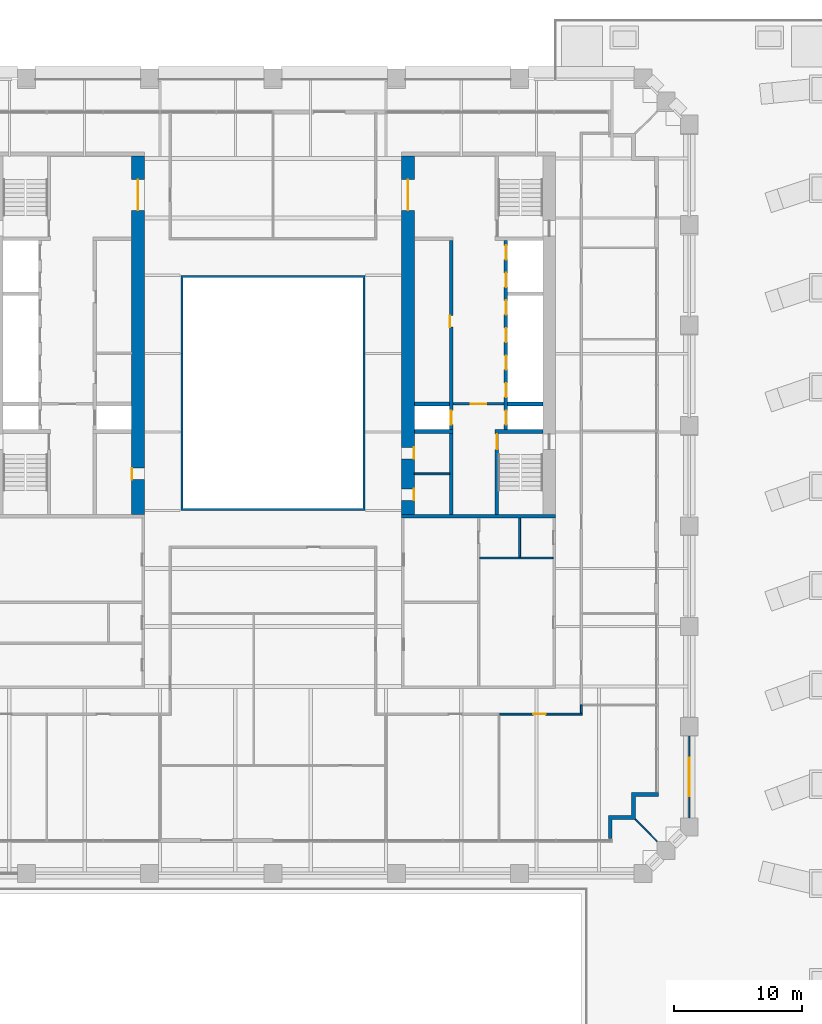
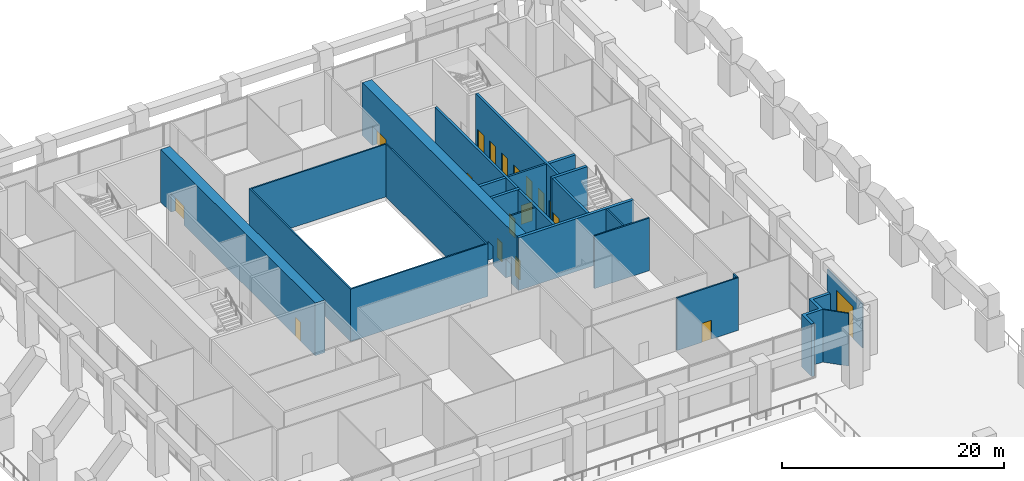
# One storey, part 14 of 20: 20 walls, 18 doors, 18 openings.
"""IFC4 building model written with IfcOpenShell, lengths in metres."""

from ifc_helpers import new_model, si_unit, direction, frame, frame_2d, origin, place, context, subcontext, project, spatial, polyline, rectangle, outline, extrude, material, layer, layer_set, type_object, element, fill, save


model = new_model("IFC4")

# Units and contexts
model_context = context("Model", 3, precision=1e-05, world=origin(), true_north=direction((0.0, 1.0)))
body_context = subcontext(model_context, "Body", "Model", "MODEL_VIEW")
ifc_project = project(units=[si_unit("LENGTHUNIT", "METRE"), si_unit("AREAUNIT", "SQUARE_METRE"), si_unit("VOLUMEUNIT", "CUBIC_METRE"), si_unit("PLANEANGLEUNIT", "RADIAN"), si_unit("MASSUNIT", "GRAM", prefix="KILO")], contexts=[model_context])

# Site, building, storey
site_placement = place(None, origin())
site = spatial("IfcSite", under=ifc_project, at=site_placement, CompositionType="ELEMENT")
building_placement = place(site_placement, origin())
building = spatial("IfcBuilding", under=site, at=building_placement, Name="Ogive Exchange Tower", CompositionType="ELEMENT")
storey_placement = place(building_placement, frame((0.0, 0.0, 33.60009765625)))
storey = spatial("IfcBuildingStorey", under=building, at=storey_placement, Name="L06", CompositionType="ELEMENT", Elevation=33.60009765625)

# Walls
ifc_material_1 = material(Name="Gypsum board partition")
ifc_layer_1 = layer(ifc_material_1, 0.14990234375)
ifc_layer_set_1 = layer_set([ifc_layer_1], Name="Core room partition 150 gypsum")
wall_type_1 = type_object("IfcWallType", Name="Core room partition 150 gypsum", PredefinedType="PARTITIONING", material=ifc_layer_set_1)
wall_1_placement = place(storey_placement, frame((11.0, 0.699951171875, 0.0), z_axis=(0.0, 0.0, 1.0), x_axis=(1.0, 0.0, 0.0)))
element("IfcWall", 1, at=wall_1_placement, inside=storey, type_object=wall_type_1, Name="E south room partition", PredefinedType="PARTITIONING", context=body_context, shape_type="SweptSolid", body=[
    extrude(rectangle(XDim=2.75, YDim=0.14990234375, at=frame_2d((1.375, 0.0))), origin(), (0.0, 0.0, 1.0), 5.7998046875),
])
wall_2_placement = place(storey_placement, frame((16.074951171875, -5.85009765625, 0.0), z_axis=(0.0, 0.0, 1.0), x_axis=(1.0, 0.0, 0.0)))
element("IfcWall", 2, at=wall_2_placement, inside=storey, type_object=wall_type_1, Name="E annex S wc strip wall 00", PredefinedType="PARTITIONING", context=body_context, shape_type="SweptSolid", body=[
    extrude(rectangle(XDim=5.72509765625, YDim=0.14990234375, at=frame_2d((2.862548828125, 0.0))), origin(), (0.0, 0.0, 1.0), 5.7998046875),
])
wall_3_placement = place(storey_placement, frame((19.199951171875, -5.77490234375, 0.0), z_axis=(0.0, 0.0, 1.0), x_axis=(0.0, 1.0, 0.0)))
element("IfcWall", 3, at=wall_3_placement, inside=storey, type_object=wall_type_1, Name="E annex S wc partition 00", PredefinedType="PARTITIONING", context=body_context, shape_type="SweptSolid", body=[
    extrude(rectangle(XDim=3.02490234375, YDim=0.14990234375, at=frame_2d((1.512451171875, 0.0))), origin(), (0.0, 0.0, 1.0), 5.7998046875),
])

# Wall, opening, door
ifc_material_2 = material(Name="Fire partition EI 60 150")
ifc_layer_2 = layer(ifc_material_2, 0.14990234375)
ifc_layer_set_2 = layer_set([ifc_layer_2], Name="Fire partition EI 60 150")
wall_type_2 = type_object("IfcWallType", Name="Fire partition EI 60 150", PredefinedType="PARTITIONING", material=ifc_layer_set_2)
wall_4_placement = place(storey_placement, frame((24.074951171875, -18.0, 0.0), z_axis=(0.0, 0.0, 1.0), x_axis=(-1.0, 0.0, 0.0)))
wall_4 = element("IfcWall", 4, at=wall_4_placement, inside=storey, type_object=wall_type_2, Name="L06-PWL-041", PredefinedType="PARTITIONING", context=body_context, shape_type="SweptSolid", body=[
    extrude(rectangle(XDim=6.425048828125, YDim=0.14990234375, at=frame_2d((3.21240234375, 0.0))), origin(), (0.0, 0.0, 1.0), 5.7998046875),
])
opening_1_placement = place(wall_4_placement, frame((2.824951171875, 0.0, 0.0)))
opening_1 = element("IfcOpeningElement", 5, at=opening_1_placement, cuts=wall_4, Name="Opening L06-I01", PredefinedType="OPENING", context=body_context, shape_type="SweptSolid", body=[
    extrude(rectangle(XDim=1.0, YDim=2.10009765625, at=frame_2d((0.5, 1.050048828125))), frame((0.0, 0.0849609375, 0.0), z_axis=(0.0, -1.0, 0.0), x_axis=(1.0, 0.0, 0.0)), (0.0, 0.0, 1.0), 0.169921875),
])
ifc_material_3 = material(Name="Fire door FD 30S 1000 x 2100")
door_type_1 = type_object("IfcDoorType", Name="Fire door FD 30S 1000 x 2100", OperationType="NOTDEFINED", PredefinedType="DOOR", material=ifc_material_3)
door_1_placement = place(opening_1_placement, origin())
door_1 = element("IfcDoor", 6, at=door_1_placement, inside=storey, type_object=door_type_1, Name="L06-IDR-001", ObjectType="DT3", OperationType="SINGLE_SWING_LEFT", OverallHeight=2.10009765625, OverallWidth=1.0, PredefinedType="DOOR", context=body_context, shape_type="SweptSolid", body=[
    extrude(rectangle(XDim=1.0, YDim=2.10009765625, at=frame_2d((0.5, 1.050048828125))), frame((0.0, 0.02490234375, 0.0), z_axis=(0.0, -1.0, 0.0), x_axis=(1.0, 0.0, 0.0)), (0.0, 0.0, 1.0), 0.050048828125),
])
fill(opening_1, door_1)

# Walls
wall_5_placement = place(storey_placement, frame((24.0, -17.2900390625, 0.0), z_axis=(0.0, 0.0, 1.0), x_axis=(0.0, -1.0, 0.0)))
element("IfcWall", 7, at=wall_5_placement, inside=storey, type_object=wall_type_2, Name="L06-PWL-042", PredefinedType="PARTITIONING", context=body_context, shape_type="SweptSolid", body=[
    extrude(rectangle(XDim=0.635009765625, YDim=0.14990234375, at=frame_2d((0.3173828125, 0.0))), origin(), (0.0, 0.0, 1.0), 5.7998046875),
])
ifc_material_4 = material(Name="Fire-resisting glass in steel frame", Category="steel")
ifc_layer_3 = layer(ifc_material_4, 0.14990234375)
ifc_layer_set_3 = layer_set([ifc_layer_3], Name="Fire-rated glazed wall 150")
wall_type_3 = type_object("IfcWallType", Name="Fire-rated glazed wall 150", PredefinedType="STANDARD", material=ifc_layer_set_3)
wall_6_placement = place(storey_placement, origin())
element("IfcWall", 8, at=wall_6_placement, inside=storey, type_object=wall_type_3, Name="Nave enclosure wall", PredefinedType="STANDARD", context=body_context, shape_type="SweptSolid", body=[
    extrude(outline(polyline([(-7.14990234375, -2.14990234375), (7.14990234375, -2.14990234375), (7.14990234375, 16.14990234375), (-7.14990234375, 16.14990234375), (-7.14990234375, -2.14990234375)]), holes=[polyline([(-7.0, -2.0), (-7.0, 16.0), (7.0, 16.0), (7.0, -2.0), (-7.0, -2.0)])]), origin(), (0.0, 0.0, 1.0), 5.7998046875),
])
ifc_material_5 = material(Name="Precast concrete C40/50", Category="concrete")
ifc_layer_4 = layer(ifc_material_5, 0.300048828125)
ifc_layer_set_4 = layer_set([ifc_layer_4], Name="Limestone-faced wall 300")
wall_type_4 = type_object("IfcWallType", Name="Limestone-faced wall 300", PredefinedType="STANDARD", material=ifc_layer_set_4)
wall_7_placement = place(storey_placement, origin())
element("IfcWall", 9, at=wall_7_placement, inside=storey, type_object=wall_type_4, Name="External corner wall C1", PredefinedType="STANDARD", context=body_context, shape_type="SweptSolid", body=[
    extrude(outline(polyline([(27.89990234375, -25.89990234375), (27.89990234375, -24.10009765625), (30.0, -24.10009765625), (30.0, -24.39990234375), (28.199951171875, -24.39990234375), (28.199951171875, -26.199951171875), (26.39990234375, -26.199951171875), (26.39990234375, -27.699951171875), (26.10009765625, -27.699951171875), (26.10009765625, -25.89990234375), (27.89990234375, -25.89990234375)])), origin(), (0.0, 0.0, 1.0), 5.7998046875),
])
ifc_material_6 = material(Name="Laminated safety glass in steel frame", Category="steel")
ifc_layer_5 = layer(ifc_material_6, 0.10009765625)
ifc_layer_set_5 = layer_set([ifc_layer_5], Name="Loggia end screen 100")
wall_type_5 = type_object("IfcWallType", Name="Loggia end screen 100", PredefinedType="STANDARD", material=ifc_layer_set_5)
wall_8_placement = place(storey_placement, frame((28.199951171875, -26.199951171875, 0.0), z_axis=(0.0, 0.0, 1.0), x_axis=(0.707106781187, -0.707106781187, 0.0)))
element("IfcWall", 10, at=wall_8_placement, inside=storey, type_object=wall_type_5, Name="Loggia end screen C1", PredefinedType="STANDARD", context=body_context, shape_type="SweptSolid", body=[
    extrude(rectangle(XDim=2.384521484375, YDim=0.10009765625, at=frame_2d((1.1923828125, 0.0))), origin(), (0.0, 0.0, 1.0), 5.7998046875),
])

# Wall, opening, door
wall_9_placement = place(storey_placement, frame((32.39990234375, -26.080078125, 0.0), z_axis=(0.0, 0.0, 1.0), x_axis=(0.0, 1.0, 0.0)))
wall_9 = element("IfcWall", 11, at=wall_9_placement, inside=storey, type_object=wall_type_5, Name="Terrace screen E00", PredefinedType="STANDARD", context=body_context, shape_type="SweptSolid", body=[
    extrude(rectangle(XDim=6.360107421875, YDim=0.10009765625, at=frame_2d((3.18017578125, 0.0))), origin(), (0.0, 0.0, 1.0), 4.849853515625),
])
opening_2_placement = place(wall_9_placement, frame((1.679931640625, 0.0, 0.0)))
opening_2 = element("IfcOpeningElement", 12, at=opening_2_placement, cuts=wall_9, Name="Opening D4", PredefinedType="OPENING", context=body_context, shape_type="SweptSolid", body=[
    extrude(rectangle(XDim=3.0, YDim=3.5, at=frame_2d((1.5, 1.75))), frame((0.0, 0.06005859375, 0.0), z_axis=(0.0, -1.0, 0.0), x_axis=(1.0, 0.0, 0.0)), (0.0, 0.0, 1.0), 0.1201171875),
])
ifc_material_7 = material(Name="Clear glass in bronze frame", Category="glass")
door_type_2 = type_object("IfcDoorType", Name="Terrace sliding door 3000 x 3500", OperationType="DOUBLE_DOOR_SLIDING", PredefinedType="DOOR", material=ifc_material_7)
door_2_placement = place(opening_2_placement, origin())
door_2 = element("IfcDoor", 13, at=door_2_placement, inside=storey, type_object=door_type_2, Name="Terrace door E00", OperationType="DOUBLE_DOOR_SLIDING", OverallHeight=3.5, OverallWidth=3.0, PredefinedType="DOOR", context=body_context, shape_type="SweptSolid", body=[
    extrude(rectangle(XDim=3.0, YDim=3.5, at=frame_2d((1.5, 1.75))), frame((0.0, 0.02490234375, 0.0), z_axis=(0.0, -1.0, 0.0), x_axis=(1.0, 0.0, 0.0)), (0.0, 0.0, 1.0), 0.050048828125),
])
fill(opening_2, door_2)

# Wall, openings, doors
ifc_material_8 = material(Name="Concrete C70/85", Category="concrete")
ifc_layer_6 = layer(ifc_material_8, 1.0)
ifc_layer_set_6 = layer_set([ifc_layer_6], Name="RC core wall 1000 C70/85")
wall_type_6 = type_object("IfcWallType", Name="RC core wall 1000 C70/85", PredefinedType="SHEAR", material=ifc_layer_set_6)
wall_10_placement = place(storey_placement, frame((-10.5, -2.449951171875, 0.0), z_axis=(0.0, 0.0, 1.0), x_axis=(0.0, 1.0, 0.0)))
wall_10 = element("IfcWall", 14, at=wall_10_placement, inside=storey, type_object=wall_type_6, Name="W inner wall", PredefinedType="SHEAR", context=body_context, shape_type="SweptSolid", body=[
    extrude(rectangle(XDim=27.89990234375, YDim=1.0, at=frame_2d((13.949951171875, 0.0))), origin(), (0.0, 0.0, 1.0), 5.7998046875),
])
opening_3_placement = place(wall_10_placement, frame((23.64990234375, 0.0, 0.0)))
opening_3 = element("IfcOpeningElement", 15, at=opening_3_placement, cuts=wall_10, Name="Opening L06-C12", PredefinedType="OPENING", context=body_context, shape_type="SweptSolid", body=[
    extrude(rectangle(XDim=2.39990234375, YDim=2.10009765625, at=frame_2d((1.199951171875, 1.050048828125))), frame((0.0, 0.510009765625, 0.0), z_axis=(0.0, -1.0, 0.0), x_axis=(1.0, 0.0, 0.0)), (0.0, 0.0, 1.0), 1.02001953125),
])
opening_4_placement = place(wall_10_placement, frame((2.699951171875, 0.0, 0.0)))
opening_4 = element("IfcOpeningElement", 16, at=opening_4_placement, cuts=wall_10, Name="Opening L06-C17", PredefinedType="OPENING", context=body_context, shape_type="SweptSolid", body=[
    extrude(rectangle(XDim=0.89990234375, YDim=2.10009765625, at=frame_2d((0.449951171875, 1.050048828125))), frame((0.0, 0.510009765625, 0.0), z_axis=(0.0, -1.0, 0.0), x_axis=(1.0, 0.0, 0.0)), (0.0, 0.0, 1.0), 1.02001953125),
])
ifc_material_9 = material(Name="Timber fire door", Category="wood")
door_type_3 = type_object("IfcDoorType", Name="Core room door FD30S 900 x 2100", OperationType="NOTDEFINED", PredefinedType="DOOR", material=ifc_material_9)
door_3_placement = place(opening_4_placement, origin())
door_3 = element("IfcDoor", 17, at=door_3_placement, inside=storey, type_object=door_type_3, Name="Core room door", ObjectType="CD6", OperationType="SINGLE_SWING_LEFT", OverallHeight=2.10009765625, OverallWidth=0.89990234375, PredefinedType="DOOR", context=body_context, shape_type="SweptSolid", body=[
    extrude(rectangle(XDim=0.89990234375, YDim=2.10009765625, at=frame_2d((0.449951171875, 1.050048828125))), frame((0.0, 0.5, 0.0), z_axis=(0.0, -1.0, 0.0), x_axis=(1.0, 0.0, 0.0)), (0.0, 0.0, 1.0), 0.050048828125),
])
fill(opening_4, door_3)
ifc_material_10 = material(Name="Glazed steel fire door", Category="steel")
door_type_4 = type_object("IfcDoorType", Name="Lift lobby double door FD60 2400 x 2100", OperationType="DOUBLE_DOOR_SINGLE_SWING", PredefinedType="DOOR", material=ifc_material_10)
door_4_placement = place(opening_3_placement, origin())
door_4 = element("IfcDoor", 18, at=door_4_placement, inside=storey, type_object=door_type_4, Name="Lift lobby double door", ObjectType="CD4", OperationType="DOUBLE_DOOR_SINGLE_SWING", OverallHeight=2.10009765625, OverallWidth=2.39990234375, PredefinedType="DOOR", context=body_context, shape_type="SweptSolid", body=[
    extrude(rectangle(XDim=2.39990234375, YDim=2.10009765625, at=frame_2d((1.199951171875, 1.050048828125))), frame((0.0, 0.02490234375, 0.0), z_axis=(0.0, -1.0, 0.0), x_axis=(1.0, 0.0, 0.0)), (0.0, 0.0, 1.0), 0.050048828125),
])
fill(opening_3, door_4)

wall_11_placement = place(storey_placement, frame((10.5, -2.449951171875, 0.0), z_axis=(0.0, 0.0, 1.0), x_axis=(0.0, 1.0, 0.0)))
wall_11 = element("IfcWall", 19, at=wall_11_placement, inside=storey, type_object=wall_type_6, Name="E inner wall", PredefinedType="SHEAR", context=body_context, shape_type="SweptSolid", body=[
    extrude(rectangle(XDim=27.89990234375, YDim=1.0, at=frame_2d((13.949951171875, 0.0))), origin(), (0.0, 0.0, 1.0), 5.7998046875),
])
opening_5_placement = place(wall_11_placement, frame((23.64990234375, 0.0, 0.0)))
opening_5 = element("IfcOpeningElement", 20, at=opening_5_placement, cuts=wall_11, Name="Opening L06-C32", PredefinedType="OPENING", context=body_context, shape_type="SweptSolid", body=[
    extrude(rectangle(XDim=2.39990234375, YDim=2.10009765625, at=frame_2d((1.199951171875, 1.050048828125))), frame((0.0, 0.510009765625, 0.0), z_axis=(0.0, -1.0, 0.0), x_axis=(1.0, 0.0, 0.0)), (0.0, 0.0, 1.0), 1.02001953125),
])
opening_6_placement = place(wall_11_placement, frame((1.08740234375, 0.0, 0.0)))
opening_6 = element("IfcOpeningElement", 21, at=opening_6_placement, cuts=wall_11, Name="Opening L06-C37", PredefinedType="OPENING", context=body_context, shape_type="SweptSolid", body=[
    extrude(rectangle(XDim=0.89990234375, YDim=2.10009765625, at=frame_2d((0.449951171875, 1.050048828125))), frame((0.0, 0.510009765625, 0.0), z_axis=(0.0, -1.0, 0.0), x_axis=(1.0, 0.0, 0.0)), (0.0, 0.0, 1.0), 1.02001953125),
])
opening_7_placement = place(wall_11_placement, frame((4.3125, 0.0, 0.0)))
opening_7 = element("IfcOpeningElement", 22, at=opening_7_placement, cuts=wall_11, Name="Opening L06-C38", PredefinedType="OPENING", context=body_context, shape_type="SweptSolid", body=[
    extrude(rectangle(XDim=0.89990234375, YDim=2.10009765625, at=frame_2d((0.449951171875, 1.050048828125))), frame((0.0, 0.510009765625, 0.0), z_axis=(0.0, -1.0, 0.0), x_axis=(1.0, 0.0, 0.0)), (0.0, 0.0, 1.0), 1.02001953125),
])
door_5_placement = place(opening_6_placement, frame((0.89990234375, -0.9501953125, 0.0), z_axis=(0.0, 0.0, 1.0), x_axis=(-1.0, 0.0, 0.0)))
door_5 = element("IfcDoor", 23, at=door_5_placement, inside=storey, type_object=door_type_3, Name="Core room door", ObjectType="CD6", OperationType="SINGLE_SWING_RIGHT", OverallHeight=2.10009765625, OverallWidth=0.89990234375, PredefinedType="DOOR", context=body_context, shape_type="SweptSolid", body=[
    extrude(rectangle(XDim=0.89990234375, YDim=2.10009765625, at=frame_2d((0.449951171875, 1.050048828125))), frame((0.0, -0.4501953125, 0.0), z_axis=(0.0, -1.0, 0.0), x_axis=(1.0, 0.0, 0.0)), (0.0, 0.0, 1.0), 0.050048828125),
])
fill(opening_6, door_5)
door_6_placement = place(opening_5_placement, frame((2.39990234375, 0.0, 0.0), z_axis=(0.0, 0.0, 1.0), x_axis=(-1.0, 0.0, 0.0)))
door_6 = element("IfcDoor", 24, at=door_6_placement, inside=storey, type_object=door_type_4, Name="Lift lobby double door", ObjectType="CD4", OperationType="DOUBLE_DOOR_SINGLE_SWING", OverallHeight=2.10009765625, OverallWidth=2.39990234375, PredefinedType="DOOR", context=body_context, shape_type="SweptSolid", body=[
    extrude(rectangle(XDim=2.39990234375, YDim=2.10009765625, at=frame_2d((1.199951171875, 1.050048828125))), frame((0.0, 0.02490234375, 0.0), z_axis=(0.0, -1.0, 0.0), x_axis=(1.0, 0.0, 0.0)), (0.0, 0.0, 1.0), 0.050048828125),
])
fill(opening_5, door_6)
ifc_material_11 = material(Name="Steel fire door", Category="steel")
door_type_5 = type_object("IfcDoorType", Name="Riser door FD60 900 x 2100", OperationType="NOTDEFINED", PredefinedType="DOOR", material=ifc_material_11)
door_7_placement = place(opening_7_placement, frame((0.89990234375, -0.9501953125, 0.0), z_axis=(0.0, 0.0, 1.0), x_axis=(-1.0, 0.0, 0.0)))
door_7 = element("IfcDoor", 25, at=door_7_placement, inside=storey, type_object=door_type_5, Name="Riser door", ObjectType="CD2", OperationType="SINGLE_SWING_LEFT", OverallHeight=2.10009765625, OverallWidth=0.89990234375, PredefinedType="DOOR", context=body_context, shape_type="SweptSolid", body=[
    extrude(rectangle(XDim=0.89990234375, YDim=2.10009765625, at=frame_2d((0.449951171875, 1.050048828125))), frame((0.0, -0.4501953125, 0.0), z_axis=(0.0, -1.0, 0.0), x_axis=(1.0, 0.0, 0.0)), (0.0, 0.0, 1.0), 0.050048828125),
])
fill(opening_7, door_7)

# Wall, opening, door
ifc_layer_7 = layer(ifc_material_8, 0.199951171875)
ifc_layer_set_7 = layer_set([ifc_layer_7], Name="RC core wall 200 C70/85")
wall_type_7 = type_object("IfcWallType", Name="RC core wall 200 C70/85", PredefinedType="SHEAR", material=ifc_layer_set_7)
wall_12_placement = place(storey_placement, frame((14.0, 6.142822265625, 0.0), z_axis=(0.0, 0.0, 1.0), x_axis=(1.0, 0.0, 0.0)))
wall_12 = element("IfcWall", 26, at=wall_12_placement, inside=storey, type_object=wall_type_7, Name="E firefighting lobby wall", PredefinedType="SHEAR", context=body_context, shape_type="SweptSolid", body=[
    extrude(rectangle(XDim=4.0, YDim=0.199951171875, at=frame_2d((2.0, 0.0))), origin(), (0.0, 0.0, 1.0), 5.7998046875),
])
opening_8_placement = place(wall_12_placement, frame((1.39990234375, 0.0, 0.0)))
opening_8 = element("IfcOpeningElement", 27, at=opening_8_placement, cuts=wall_12, Name="Opening L06-C31", PredefinedType="OPENING", context=body_context, shape_type="SweptSolid", body=[
    extrude(rectangle(XDim=1.199951171875, YDim=2.10009765625, at=frame_2d((0.60009765625, 1.050048828125))), frame((0.0, 0.10986328125, 0.0), z_axis=(0.0, -1.0, 0.0), x_axis=(1.0, 0.0, 0.0)), (0.0, 0.0, 1.0), 0.219970703125),
])
door_type_6 = type_object("IfcDoorType", Name="Firefighting lobby door FD60 1200 x 2100", OperationType="NOTDEFINED", PredefinedType="DOOR", material=ifc_material_11)
door_8_placement = place(opening_8_placement, frame((1.199951171875, 0.0, 0.0), z_axis=(0.0, 0.0, 1.0), x_axis=(-1.0, 0.0, 0.0)))
door_8 = element("IfcDoor", 28, at=door_8_placement, inside=storey, type_object=door_type_6, Name="Firefighting lobby door", ObjectType="CD3", OperationType="SINGLE_SWING_LEFT", OverallHeight=2.10009765625, OverallWidth=1.199951171875, PredefinedType="DOOR", context=body_context, shape_type="SweptSolid", body=[
    extrude(rectangle(XDim=1.199951171875, YDim=2.10009765625, at=frame_2d((0.60009765625, 1.050048828125))), frame((0.0, 0.02490234375, 0.0), z_axis=(0.0, -1.0, 0.0), x_axis=(1.0, 0.0, 0.0)), (0.0, 0.0, 1.0), 0.050048828125),
])
fill(opening_8, door_8)

ifc_layer_8 = layer(ifc_material_8, 0.25)
ifc_layer_set_8 = layer_set([ifc_layer_8], Name="RC core wall 250 C70/85")
wall_type_8 = type_object("IfcWallType", Name="RC core wall 250 C70/85", PredefinedType="SHEAR", material=ifc_layer_set_8)
wall_13_placement = place(storey_placement, frame((17.425048828125, -2.449951171875, 0.0), z_axis=(0.0, 0.0, 1.0), x_axis=(0.0, 1.0, 0.0)))
wall_13 = element("IfcWall", 29, at=wall_13_placement, inside=storey, type_object=wall_type_8, Name="E stair S front wall", PredefinedType="SHEAR", context=body_context, shape_type="SweptSolid", body=[
    extrude(rectangle(XDim=6.300048828125, YDim=0.25, at=frame_2d((3.14990234375, 0.0))), origin(), (0.0, 0.0, 1.0), 5.7998046875),
])
opening_9_placement = place(wall_13_placement, frame((5.050048828125, 0.0, 0.0)))
opening_9 = element("IfcOpeningElement", 30, at=opening_9_placement, cuts=wall_13, Name="Opening L06-C33", PredefinedType="OPENING", context=body_context, shape_type="SweptSolid", body=[
    extrude(rectangle(XDim=1.199951171875, YDim=2.10009765625, at=frame_2d((0.60009765625, 1.050048828125))), frame((0.0, 0.135009765625, 0.0), z_axis=(0.0, -1.0, 0.0), x_axis=(1.0, 0.0, 0.0)), (0.0, 0.0, 1.0), 0.27001953125),
])
door_type_7 = type_object("IfcDoorType", Name="Stair door FD90 1200 x 2100", OperationType="NOTDEFINED", PredefinedType="DOOR", material=ifc_material_11)
door_9_placement = place(opening_9_placement, frame((1.199951171875, 0.0, 0.0), z_axis=(0.0, 0.0, 1.0), x_axis=(-1.0, 0.0, 0.0)))
door_9 = element("IfcDoor", 31, at=door_9_placement, inside=storey, type_object=door_type_7, Name="Stair door", ObjectType="CD5", OperationType="SINGLE_SWING_RIGHT", OverallHeight=2.10009765625, OverallWidth=1.199951171875, PredefinedType="DOOR", context=body_context, shape_type="SweptSolid", body=[
    extrude(rectangle(XDim=1.199951171875, YDim=2.10009765625, at=frame_2d((0.60009765625, 1.050048828125))), frame((0.0, 0.02490234375, 0.0), z_axis=(0.0, -1.0, 0.0), x_axis=(1.0, 0.0, 0.0)), (0.0, 0.0, 1.0), 0.050048828125),
])
fill(opening_9, door_9)

# Wall, openings, doors
wall_14_placement = place(storey_placement, frame((18.125, 4.14990234375, 0.0), z_axis=(0.0, 0.0, 1.0), x_axis=(0.0, 1.0, 0.0)))
wall_14 = element("IfcWall", 32, at=wall_14_placement, inside=storey, type_object=wall_type_8, Name="E row A front wall", PredefinedType="SHEAR", context=body_context, shape_type="SweptSolid", body=[
    extrude(rectangle(XDim=14.7001953125, YDim=0.25, at=frame_2d((7.35009765625, 0.0))), origin(), (0.0, 0.0, 1.0), 5.7998046875),
])
opening_10_placement = place(wall_14_placement, frame((0.371337890625, 0.0, 0.0)))
opening_10 = element("IfcOpeningElement", 33, at=opening_10_placement, cuts=wall_14, Name="Opening L06-C22", PredefinedType="OPENING", context=body_context, shape_type="SweptSolid", body=[
    extrude(rectangle(XDim=1.10009765625, YDim=2.10009765625, at=frame_2d((0.550048828125, 1.050048828125))), frame((0.0, 0.135009765625, 0.0), z_axis=(0.0, -1.0, 0.0), x_axis=(1.0, 0.0, 0.0)), (0.0, 0.0, 1.0), 0.27001953125),
])
opening_11_placement = place(wall_14_placement, frame((2.514404296875, 0.0, 0.0)))
opening_11 = element("IfcOpeningElement", 34, at=opening_11_placement, cuts=wall_14, Name="Opening L06-C23", PredefinedType="OPENING", context=body_context, shape_type="SweptSolid", body=[
    extrude(rectangle(XDim=1.10009765625, YDim=2.10009765625, at=frame_2d((0.550048828125, 1.050048828125))), frame((0.0, 0.135009765625, 0.0), z_axis=(0.0, -1.0, 0.0), x_axis=(1.0, 0.0, 0.0)), (0.0, 0.0, 1.0), 0.27001953125),
])
opening_12_placement = place(wall_14_placement, frame((4.656982421875, 0.0, 0.0)))
opening_12 = element("IfcOpeningElement", 35, at=opening_12_placement, cuts=wall_14, Name="Opening L06-C24", PredefinedType="OPENING", context=body_context, shape_type="SweptSolid", body=[
    extrude(rectangle(XDim=1.10009765625, YDim=2.10009765625, at=frame_2d((0.550048828125, 1.050048828125))), frame((0.0, 0.135009765625, 0.0), z_axis=(0.0, -1.0, 0.0), x_axis=(1.0, 0.0, 0.0)), (0.0, 0.0, 1.0), 0.27001953125),
])
opening_13_placement = place(wall_14_placement, frame((6.800048828125, 0.0, 0.0)))
opening_13 = element("IfcOpeningElement", 36, at=opening_13_placement, cuts=wall_14, Name="Opening L06-C25", PredefinedType="OPENING", context=body_context, shape_type="SweptSolid", body=[
    extrude(rectangle(XDim=1.10009765625, YDim=2.10009765625, at=frame_2d((0.550048828125, 1.050048828125))), frame((0.0, 0.135009765625, 0.0), z_axis=(0.0, -1.0, 0.0), x_axis=(1.0, 0.0, 0.0)), (0.0, 0.0, 1.0), 0.27001953125),
])
opening_14_placement = place(wall_14_placement, frame((8.94287109375, 0.0, 0.0)))
opening_14 = element("IfcOpeningElement", 37, at=opening_14_placement, cuts=wall_14, Name="Opening L06-C26", PredefinedType="OPENING", context=body_context, shape_type="SweptSolid", body=[
    extrude(rectangle(XDim=1.10009765625, YDim=2.10009765625, at=frame_2d((0.550048828125, 1.050048828125))), frame((0.0, 0.135009765625, 0.0), z_axis=(0.0, -1.0, 0.0), x_axis=(1.0, 0.0, 0.0)), (0.0, 0.0, 1.0), 0.27001953125),
])
opening_15_placement = place(wall_14_placement, frame((11.085693359375, 0.0, 0.0)))
opening_15 = element("IfcOpeningElement", 38, at=opening_15_placement, cuts=wall_14, Name="Opening L06-C27", PredefinedType="OPENING", context=body_context, shape_type="SweptSolid", body=[
    extrude(rectangle(XDim=1.10009765625, YDim=2.10009765625, at=frame_2d((0.550048828125, 1.050048828125))), frame((0.0, 0.135009765625, 0.0), z_axis=(0.0, -1.0, 0.0), x_axis=(1.0, 0.0, 0.0)), (0.0, 0.0, 1.0), 0.27001953125),
])
opening_16_placement = place(wall_14_placement, frame((13.228515625, 0.0, 0.0)))
opening_16 = element("IfcOpeningElement", 39, at=opening_16_placement, cuts=wall_14, Name="Opening L06-C28", PredefinedType="OPENING", context=body_context, shape_type="SweptSolid", body=[
    extrude(rectangle(XDim=1.10009765625, YDim=2.10009765625, at=frame_2d((0.550048828125, 1.050048828125))), frame((0.0, 0.135009765625, 0.0), z_axis=(0.0, -1.0, 0.0), x_axis=(1.0, 0.0, 0.0)), (0.0, 0.0, 1.0), 0.27001953125),
])
ifc_material_12 = material(Name="Stainless steel", Category="steel")
door_type_8 = type_object("IfcDoorType", Name="Lift landing door FD90 1100 x 2100", OperationType="SLIDING_TO_LEFT", PredefinedType="DOOR", material=ifc_material_12)
door_10_placement = place(opening_10_placement, origin())
door_10 = element("IfcDoor", 40, at=door_10_placement, inside=storey, type_object=door_type_8, Name="Lift landing door FF2", ObjectType="LD", OperationType="SLIDING_TO_LEFT", OverallHeight=2.10009765625, OverallWidth=1.10009765625, PredefinedType="DOOR", context=body_context, shape_type="SweptSolid", body=[
    extrude(rectangle(XDim=1.10009765625, YDim=2.10009765625, at=frame_2d((0.550048828125, 1.050048828125))), frame((0.0, 0.02490234375, 0.0), z_axis=(0.0, -1.0, 0.0), x_axis=(1.0, 0.0, 0.0)), (0.0, 0.0, 1.0), 0.050048828125),
])
fill(opening_10, door_10)
door_11_placement = place(opening_11_placement, origin())
door_11 = element("IfcDoor", 41, at=door_11_placement, inside=storey, type_object=door_type_8, Name="Lift landing door E-L1", ObjectType="LD", OperationType="SLIDING_TO_LEFT", OverallHeight=2.10009765625, OverallWidth=1.10009765625, PredefinedType="DOOR", context=body_context, shape_type="SweptSolid", body=[
    extrude(rectangle(XDim=1.10009765625, YDim=2.10009765625, at=frame_2d((0.550048828125, 1.050048828125))), frame((0.0, 0.02490234375, 0.0), z_axis=(0.0, -1.0, 0.0), x_axis=(1.0, 0.0, 0.0)), (0.0, 0.0, 1.0), 0.050048828125),
])
fill(opening_11, door_11)
door_12_placement = place(opening_12_placement, origin())
door_12 = element("IfcDoor", 42, at=door_12_placement, inside=storey, type_object=door_type_8, Name="Lift landing door E-L2", ObjectType="LD", OperationType="SLIDING_TO_LEFT", OverallHeight=2.10009765625, OverallWidth=1.10009765625, PredefinedType="DOOR", context=body_context, shape_type="SweptSolid", body=[
    extrude(rectangle(XDim=1.10009765625, YDim=2.10009765625, at=frame_2d((0.550048828125, 1.050048828125))), frame((0.0, 0.02490234375, 0.0), z_axis=(0.0, -1.0, 0.0), x_axis=(1.0, 0.0, 0.0)), (0.0, 0.0, 1.0), 0.050048828125),
])
fill(opening_12, door_12)
door_13_placement = place(opening_13_placement, origin())
door_13 = element("IfcDoor", 43, at=door_13_placement, inside=storey, type_object=door_type_8, Name="Lift landing door E-L3", ObjectType="LD", OperationType="SLIDING_TO_LEFT", OverallHeight=2.10009765625, OverallWidth=1.10009765625, PredefinedType="DOOR", context=body_context, shape_type="SweptSolid", body=[
    extrude(rectangle(XDim=1.10009765625, YDim=2.10009765625, at=frame_2d((0.550048828125, 1.050048828125))), frame((0.0, 0.02490234375, 0.0), z_axis=(0.0, -1.0, 0.0), x_axis=(1.0, 0.0, 0.0)), (0.0, 0.0, 1.0), 0.050048828125),
])
fill(opening_13, door_13)
door_14_placement = place(opening_14_placement, origin())
door_14 = element("IfcDoor", 44, at=door_14_placement, inside=storey, type_object=door_type_8, Name="Lift landing door E-L4", ObjectType="LD", OperationType="SLIDING_TO_LEFT", OverallHeight=2.10009765625, OverallWidth=1.10009765625, PredefinedType="DOOR", context=body_context, shape_type="SweptSolid", body=[
    extrude(rectangle(XDim=1.10009765625, YDim=2.10009765625, at=frame_2d((0.550048828125, 1.050048828125))), frame((0.0, 0.02490234375, 0.0), z_axis=(0.0, -1.0, 0.0), x_axis=(1.0, 0.0, 0.0)), (0.0, 0.0, 1.0), 0.050048828125),
])
fill(opening_14, door_14)
door_15_placement = place(opening_15_placement, origin())
door_15 = element("IfcDoor", 45, at=door_15_placement, inside=storey, type_object=door_type_8, Name="Lift landing door E-SH1", ObjectType="LD", OperationType="SLIDING_TO_LEFT", OverallHeight=2.10009765625, OverallWidth=1.10009765625, PredefinedType="DOOR", context=body_context, shape_type="SweptSolid", body=[
    extrude(rectangle(XDim=1.10009765625, YDim=2.10009765625, at=frame_2d((0.550048828125, 1.050048828125))), frame((0.0, 0.02490234375, 0.0), z_axis=(0.0, -1.0, 0.0), x_axis=(1.0, 0.0, 0.0)), (0.0, 0.0, 1.0), 0.050048828125),
])
fill(opening_15, door_15)
door_16_placement = place(opening_16_placement, origin())
door_16 = element("IfcDoor", 46, at=door_16_placement, inside=storey, type_object=door_type_8, Name="Lift landing door E-SH2", ObjectType="LD", OperationType="SLIDING_TO_LEFT", OverallHeight=2.10009765625, OverallWidth=1.10009765625, PredefinedType="DOOR", context=body_context, shape_type="SweptSolid", body=[
    extrude(rectangle(XDim=1.10009765625, YDim=2.10009765625, at=frame_2d((0.550048828125, 1.050048828125))), frame((0.0, 0.02490234375, 0.0), z_axis=(0.0, -1.0, 0.0), x_axis=(1.0, 0.0, 0.0)), (0.0, 0.0, 1.0), 0.050048828125),
])
fill(opening_16, door_16)

wall_15_placement = place(storey_placement, frame((13.875, -2.449951171875, 0.0), z_axis=(0.0, 0.0, 1.0), x_axis=(0.0, 1.0, 0.0)))
wall_15 = element("IfcWall", 47, at=wall_15_placement, inside=storey, type_object=wall_type_8, Name="E row B front wall", PredefinedType="SHEAR", context=body_context, shape_type="SweptSolid", body=[
    extrude(rectangle(XDim=21.300048828125, YDim=0.25, at=frame_2d((10.64990234375, 0.0))), origin(), (0.0, 0.0, 1.0), 5.7998046875),
])
opening_17_placement = place(wall_15_placement, frame((14.5712890625, 0.0, 0.0)))
opening_17 = element("IfcOpeningElement", 48, at=opening_17_placement, cuts=wall_15, Name="Opening L06-C29", PredefinedType="OPENING", context=body_context, shape_type="SweptSolid", body=[
    extrude(rectangle(XDim=0.89990234375, YDim=2.10009765625, at=frame_2d((0.449951171875, 1.050048828125))), frame((0.0, 0.135009765625, 0.0), z_axis=(0.0, -1.0, 0.0), x_axis=(1.0, 0.0, 0.0)), (0.0, 0.0, 1.0), 0.27001953125),
])
opening_18_placement = place(wall_15_placement, frame((6.971435546875, 0.0, 0.0)))
opening_18 = element("IfcOpeningElement", 49, at=opening_18_placement, cuts=wall_15, Name="Opening L06-C30", PredefinedType="OPENING", context=body_context, shape_type="SweptSolid", body=[
    extrude(rectangle(XDim=1.10009765625, YDim=2.10009765625, at=frame_2d((0.550048828125, 1.050048828125))), frame((0.0, 0.135009765625, 0.0), z_axis=(0.0, -1.0, 0.0), x_axis=(1.0, 0.0, 0.0)), (0.0, 0.0, 1.0), 0.27001953125),
])
door_17_placement = place(opening_18_placement, origin())
door_17 = element("IfcDoor", 50, at=door_17_placement, inside=storey, type_object=door_type_8, Name="Lift landing door SV2", ObjectType="LD", OperationType="SLIDING_TO_LEFT", OverallHeight=2.10009765625, OverallWidth=1.10009765625, PredefinedType="DOOR", context=body_context, shape_type="SweptSolid", body=[
    extrude(rectangle(XDim=1.10009765625, YDim=2.10009765625, at=frame_2d((0.550048828125, 1.050048828125))), frame((0.0, 0.02490234375, 0.0), z_axis=(0.0, -1.0, 0.0), x_axis=(1.0, 0.0, 0.0)), (0.0, 0.0, 1.0), 0.050048828125),
])
fill(opening_18, door_17)
door_18_placement = place(opening_17_placement, origin())
door_18 = element("IfcDoor", 51, at=door_18_placement, inside=storey, type_object=door_type_5, Name="Riser door", ObjectType="CD2", OperationType="SINGLE_SWING_LEFT", OverallHeight=2.10009765625, OverallWidth=0.89990234375, PredefinedType="DOOR", context=body_context, shape_type="SweptSolid", body=[
    extrude(rectangle(XDim=0.89990234375, YDim=2.10009765625, at=frame_2d((0.449951171875, 1.050048828125))), frame((0.0, 0.125, 0.0), z_axis=(0.0, -1.0, 0.0), x_axis=(1.0, 0.0, 0.0)), (0.0, 0.0, 1.0), 0.050048828125),
])
fill(opening_17, door_18)

# Walls
ifc_layer_9 = layer(ifc_material_8, 0.300048828125)
ifc_layer_set_9 = layer_set([ifc_layer_9], Name="RC core wall 300 C70/85")
wall_type_9 = type_object("IfcWallType", Name="RC core wall 300 C70/85", PredefinedType="SHEAR", material=ifc_layer_set_9)
wall_16_placement = place(storey_placement, frame((10.0, -2.60009765625, 0.0), z_axis=(0.0, 0.0, 1.0), x_axis=(1.0, 0.0, 0.0)))
element("IfcWall", 52, at=wall_16_placement, inside=storey, type_object=wall_type_9, Name="E south end wall", PredefinedType="SHEAR", context=body_context, shape_type="SweptSolid", body=[
    extrude(rectangle(XDim=12.0, YDim=0.300048828125, at=frame_2d((6.0, 0.0))), origin(), (0.0, 0.0, 1.0), 5.7998046875),
])
wall_17_placement = place(storey_placement, frame((17.300048828125, 4.0, 0.0), z_axis=(0.0, 0.0, 1.0), x_axis=(1.0, 0.0, 0.0)))
element("IfcWall", 53, at=wall_17_placement, inside=storey, type_object=wall_type_9, Name="E stair S north wall", PredefinedType="SHEAR", context=body_context, shape_type="SweptSolid", body=[
    extrude(rectangle(XDim=3.699951171875, YDim=0.300048828125, at=frame_2d((1.85009765625, 0.0))), origin(), (0.0, 0.0, 1.0), 5.7998046875),
])
wall_18_placement = place(storey_placement, frame((18.25, 6.142822265625, 0.0), z_axis=(0.0, 0.0, 1.0), x_axis=(1.0, 0.0, 0.0)))
element("IfcWall", 54, at=wall_18_placement, inside=storey, type_object=wall_type_9, Name="E row A divider 1", PredefinedType="SHEAR", context=body_context, shape_type="SweptSolid", body=[
    extrude(rectangle(XDim=2.75, YDim=0.300048828125, at=frame_2d((1.375, 0.0))), origin(), (0.0, 0.0, 1.0), 5.7998046875),
])
wall_19_placement = place(storey_placement, frame((11.0, 4.0, 0.0), z_axis=(0.0, 0.0, 1.0), x_axis=(1.0, 0.0, 0.0)))
element("IfcWall", 55, at=wall_19_placement, inside=storey, type_object=wall_type_9, Name="E row B divider 0", PredefinedType="SHEAR", context=body_context, shape_type="SweptSolid", body=[
    extrude(rectangle(XDim=3.0, YDim=0.300048828125, at=frame_2d((1.5, 0.0))), origin(), (0.0, 0.0, 1.0), 5.7998046875),
])
wall_20_placement = place(storey_placement, frame((11.0, 6.142822265625, 0.0), z_axis=(0.0, 0.0, 1.0), x_axis=(1.0, 0.0, 0.0)))
element("IfcWall", 56, at=wall_20_placement, inside=storey, type_object=wall_type_9, Name="E row B divider 1", PredefinedType="SHEAR", context=body_context, shape_type="SweptSolid", body=[
    extrude(rectangle(XDim=2.75, YDim=0.300048828125, at=frame_2d((1.375, 0.0))), origin(), (0.0, 0.0, 1.0), 5.7998046875),
])

save(model, "model.ifc")
